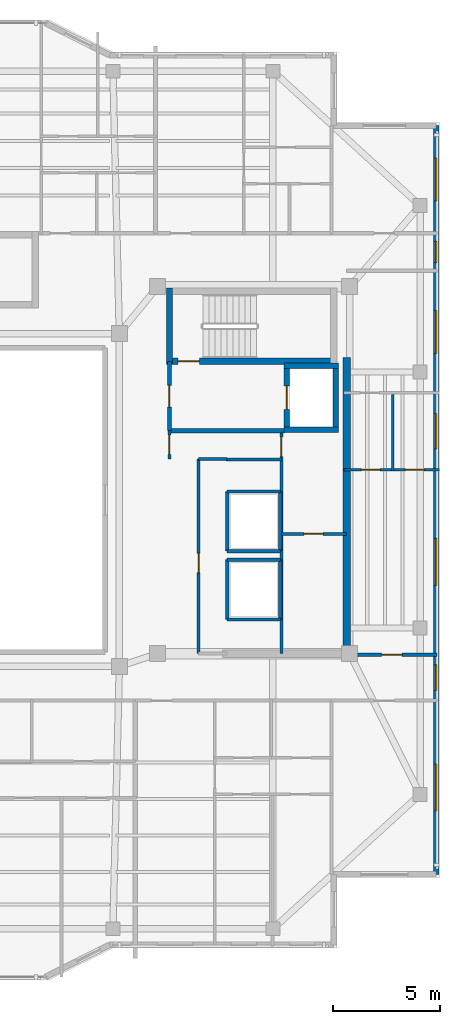
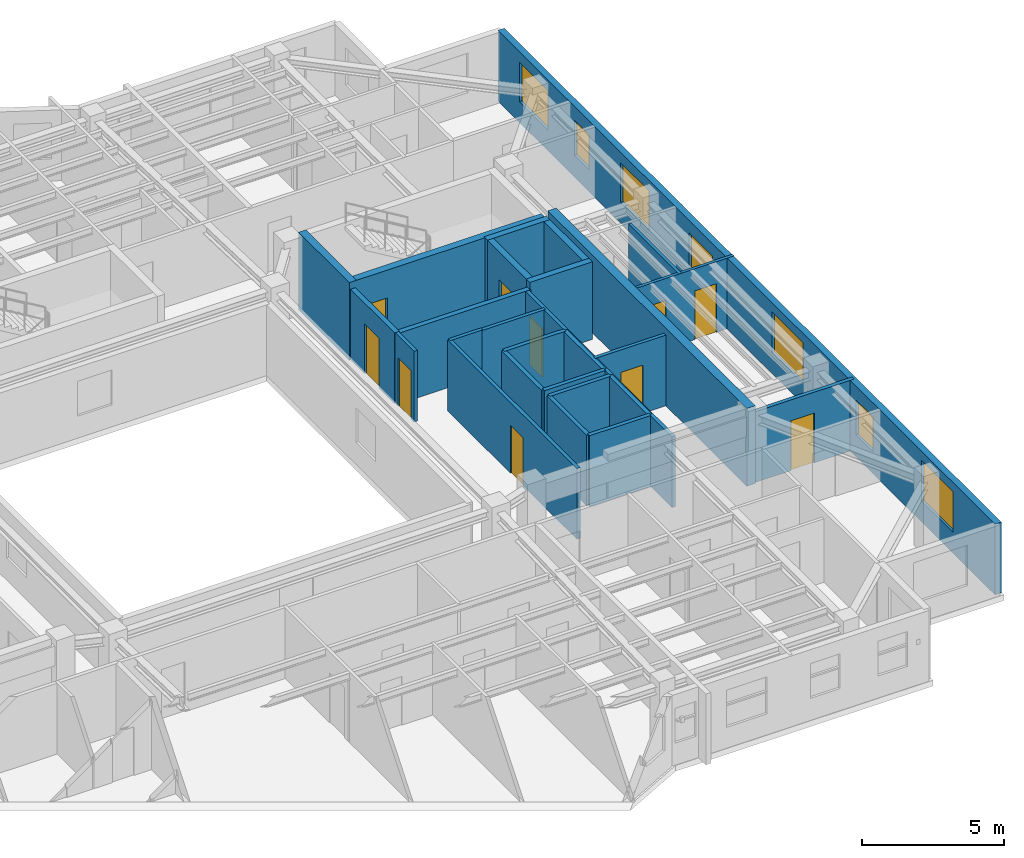
# One storey, part 9 of 15: 27 walls, 10 doors, 7 windows, 17 openings.
"""IFC4 building model written with IfcOpenShell, lengths in metres."""

from ifc_helpers import new_model, si_unit, direction, frame, frame_2d, origin, place, context, subcontext, project, spatial, rectangle, extrude, material, layer, layer_set, type_object, element, fill, save


model = new_model("IFC4")

# Units and contexts
model_context = context("Model", 3, precision=1e-05, world=origin(), true_north=direction((0.0, 1.0)))
body_context = subcontext(model_context, "Body", "Model", "MODEL_VIEW")
ifc_project = project(units=[si_unit("LENGTHUNIT", "METRE"), si_unit("AREAUNIT", "SQUARE_METRE"), si_unit("VOLUMEUNIT", "CUBIC_METRE"), si_unit("PLANEANGLEUNIT", "RADIAN"), si_unit("MASSUNIT", "GRAM", prefix="KILO")], contexts=[model_context])

# Site, building, storey
site_placement = place(None, origin())
site = spatial("IfcSite", under=ifc_project, at=site_placement, CompositionType="ELEMENT")
building_placement = place(site_placement, origin())
building = spatial("IfcBuilding", under=site, at=building_placement, Name="Tarnavaz Court Tower", CompositionType="ELEMENT")
storey_placement = place(building_placement, frame((0.0, 0.0, 268.300048828125)))
storey = spatial("IfcBuildingStorey", under=building, at=storey_placement, Name="L73", CompositionType="ELEMENT", Elevation=268.300048828125)

# Wall, opening, door
ifc_material_1 = material(Name="Concrete C50/60", Category="concrete")
ifc_layer_1 = layer(ifc_material_1, 0.25)
ifc_layer_set_1 = layer_set([ifc_layer_1], Name="Concrete C50/60")
wall_type_1 = type_object("IfcWallType", Name="WL-CORE-250-C50", PredefinedType="SHEAR", material=ifc_layer_set_1)
wall_1_placement = place(storey_placement, frame((15.64990234375, 3.175048828125, 0.0), z_axis=(0.0, 0.0, 1.0), x_axis=(0.0, 1.0, 0.0)))
wall_1 = element("IfcWall", 1, at=wall_1_placement, inside=storey, type_object=wall_type_1, Name="L73 Lift FL-E1 Shaft Wall 033", PredefinedType="SHEAR", context=body_context, shape_type="SweptSolid", body=[
    extrude(rectangle(XDim=3.25, YDim=0.25, at=frame_2d((1.625, 0.0))), origin(), (0.0, 0.0, 1.0), 3.349853515625),
])
opening_1_placement = place(wall_1_placement, frame((1.074951171875, 0.0, 0.0)))
opening_1 = element("IfcOpeningElement", 2, at=opening_1_placement, cuts=wall_1, Name="Opening LD1", PredefinedType="OPENING", context=body_context, shape_type="SweptSolid", body=[
    extrude(rectangle(XDim=1.10009765625, YDim=2.14990234375, at=frame_2d((0.550048828125, 1.074951171875))), frame((0.0, 0.135009765625, 0.0), z_axis=(0.0, -1.0, 0.0), x_axis=(1.0, 0.0, 0.0)), (0.0, 0.0, 1.0), 0.27001953125),
])
ifc_material_2 = material(Name="Stainless Steel", Category="steel")
door_type_1 = type_object("IfcDoorType", Name="DR-LD-1100", OperationType="NOTDEFINED", PredefinedType="DOOR", material=ifc_material_2)
door_1_placement = place(opening_1_placement, origin())
door_1 = element("IfcDoor", 3, at=door_1_placement, inside=storey, type_object=door_type_1, Name="L73 Lift Landing Door LD-FL-E1", OperationType="SLIDING_TO_LEFT", OverallHeight=2.14990234375, OverallWidth=1.10009765625, PredefinedType="DOOR", context=body_context, shape_type="SweptSolid", body=[
    extrude(rectangle(XDim=1.10009765625, YDim=2.14990234375, at=frame_2d((0.550048828125, 1.074951171875))), frame((0.0, 0.02490234375, 0.0), z_axis=(0.0, -1.0, 0.0), x_axis=(1.0, 0.0, 0.0)), (0.0, 0.0, 1.0), 0.050048828125),
])
fill(opening_1, door_1)

# Walls
wall_2_placement = place(storey_placement, frame((17.949951171875, 3.175048828125, 0.0), z_axis=(0.0, 0.0, 1.0), x_axis=(0.0, 1.0, 0.0)))
element("IfcWall", 4, at=wall_2_placement, inside=storey, type_object=wall_type_1, Name="L73 Lift FL-E1 Shaft Wall 034", PredefinedType="SHEAR", context=body_context, shape_type="SweptSolid", body=[
    extrude(rectangle(XDim=3.25, YDim=0.25, at=frame_2d((1.625, 0.0))), origin(), (0.0, 0.0, 1.0), 3.349853515625),
])
for number, where, z_axis, x_axis, name in (
    (5, (15.52490234375, 3.300048828125, 0.0), (0.0, 0.0, 1.0), (1.0, 0.0, 0.0), "L73 Lift FL-E1 Shaft Wall 035"),
    (6, (15.52490234375, 6.300048828125, 0.0), (0.0, 0.0, 1.0), (1.0, 0.0, 0.0), "L73 Lift FL-E1 Shaft Wall 036"),
):
    element("IfcWall", number, at=place(storey_placement, frame(where, z_axis=z_axis, x_axis=x_axis)), inside=storey, type_object=wall_type_1, Name=name, PredefinedType="SHEAR", context=body_context, shape_type="SweptSolid", body=[
        extrude(rectangle(XDim=2.550048828125, YDim=0.25, at=frame_2d((1.27490234375, 0.0))), origin(), (0.0, 0.0, 1.0), 3.349853515625),
    ])

# Wall, opening, door
ifc_layer_2 = layer(ifc_material_1, 0.300048828125)
ifc_layer_set_2 = layer_set([ifc_layer_2], Name="Concrete C50/60")
wall_type_2 = type_object("IfcWallType", Name="WL-CORE-300-C50", PredefinedType="SHEAR", material=ifc_layer_set_2)
wall_3_placement = place(storey_placement, frame((10.0, 6.5, 0.0), z_axis=(0.0, 0.0, 1.0), x_axis=(1.0, 0.0, 0.0)))
wall_3 = element("IfcWall", 7, at=wall_3_placement, inside=storey, type_object=wall_type_2, Name="L73 East Stair Core Wall 006", PredefinedType="SHEAR", context=body_context, shape_type="SweptSolid", body=[
    extrude(rectangle(XDim=8.0, YDim=0.300048828125, at=frame_2d((4.0, 0.0))), origin(), (0.0, 0.0, 1.0), 3.349853515625),
])
opening_2_placement = place(wall_3_placement, frame((0.550048828125, 0.0, 0.0)))
opening_2 = element("IfcOpeningElement", 8, at=opening_2_placement, cuts=wall_3, Name="Opening D01", PredefinedType="OPENING", context=body_context, shape_type="SweptSolid", body=[
    extrude(rectangle(XDim=1.0, YDim=2.14990234375, at=frame_2d((0.5, 1.074951171875))), frame((0.0, 0.159912109375, 0.0), z_axis=(0.0, -1.0, 0.0), x_axis=(1.0, 0.0, 0.0)), (0.0, 0.0, 1.0), 0.320068359375),
])
ifc_material_3 = material(Name="Fire-Rated Hardwood Timber Core", Category="wood")
door_type_2 = type_object("IfcDoorType", Name="DR-FD90-1000", OperationType="NOTDEFINED", PredefinedType="DOOR", material=ifc_material_3)
door_2_placement = place(opening_2_placement, origin())
door_2 = element("IfcDoor", 9, at=door_2_placement, inside=storey, type_object=door_type_2, Name="L73 Stair ST-E1 Exit Door", OperationType="SINGLE_SWING_RIGHT", OverallHeight=2.14990234375, OverallWidth=1.0, PredefinedType="DOOR", context=body_context, shape_type="SweptSolid", body=[
    extrude(rectangle(XDim=1.0, YDim=2.14990234375, at=frame_2d((0.5, 1.074951171875))), frame((0.0, 0.02490234375, 0.0), z_axis=(0.0, -1.0, 0.0), x_axis=(1.0, 0.0, 0.0)), (0.0, 0.0, 1.0), 0.050048828125),
])
fill(opening_2, door_2)

# Walls
wall_4_placement = place(storey_placement, frame((10.14990234375, 6.35009765625, 0.0), z_axis=(0.0, 0.0, 1.0), x_axis=(0.0, 1.0, 0.0)))
element("IfcWall", 10, at=wall_4_placement, inside=storey, type_object=wall_type_2, Name="L73 East Stair Core Wall 007", PredefinedType="SHEAR", context=body_context, shape_type="SweptSolid", body=[
    extrude(rectangle(XDim=3.58984375, YDim=0.300048828125, at=frame_2d((1.794921875, 0.0))), origin(), (0.0, 0.0, 1.0), 3.349853515625),
])
ifc_layer_3 = layer(ifc_material_1, 0.35009765625)
ifc_layer_set_3 = layer_set([ifc_layer_3], Name="Concrete C50/60")
wall_type_3 = type_object("IfcWallType", Name="WL-CORE-350-C50", PredefinedType="SHEAR", material=ifc_layer_set_3)
wall_5_placement = place(storey_placement, frame((18.449951171875, -7.375, 0.0), z_axis=(0.0, 0.0, 1.0), x_axis=(0.0, 1.0, 0.0)))
element("IfcWall", 11, at=wall_5_placement, inside=storey, type_object=wall_type_3, Name="L73 East Core Shear Wall 047", PredefinedType="SHEAR", context=body_context, shape_type="SweptSolid", body=[
    extrude(rectangle(XDim=14.050048828125, YDim=0.35009765625, at=frame_2d((7.02490234375, 0.0))), origin(), (0.0, 0.0, 1.0), 3.349853515625),
])

# Wall, openings, windows
ifc_material_4 = material(Name="Precast Concrete C40/50", Category="concrete")
ifc_layer_4 = layer(ifc_material_4, 0.260009765625)
ifc_layer_set_4 = layer_set([ifc_layer_4], Name="Precast Concrete C40/50")
wall_type_4 = type_object("IfcWallType", Name="WL-EXT-260", PredefinedType="SOLIDWALL", material=ifc_layer_set_4)
wall_6_placement = place(storey_placement, frame((22.64990234375, 17.550048828125, 0.0), z_axis=(0.0, 0.0, 1.0), x_axis=(0.0, -1.0, 0.0)))
wall_6 = element("IfcWall", 12, at=wall_6_placement, inside=storey, type_object=wall_type_4, Name="L73 Exterior Terracotta Facade Wall 12", PredefinedType="SOLIDWALL", context=body_context, shape_type="SweptSolid", body=[
    extrude(rectangle(XDim=35.10009765625, YDim=0.260009765625, at=frame_2d((17.550048828125, 0.0))), origin(), (0.0, 0.0, 1.0), 3.050048828125),
])
opening_3_placement = place(wall_6_placement, frame((1.52490234375, 0.0, 0.89990234375)))
opening_3 = element("IfcOpeningElement", 13, at=opening_3_placement, cuts=wall_6, Name="Opening W08", PredefinedType="OPENING", context=body_context, shape_type="SweptSolid", body=[
    extrude(rectangle(XDim=2.0, YDim=1.699951171875, at=frame_2d((1.0, 0.85009765625))), frame((0.0, 0.139892578125, 0.0), z_axis=(0.0, -1.0, 0.0), x_axis=(1.0, 0.0, 0.0)), (0.0, 0.0, 1.0), 0.280029296875),
])
opening_4_placement = place(wall_6_placement, frame((5.425048828125, 0.0, 0.949951171875)))
opening_4 = element("IfcOpeningElement", 14, at=opening_4_placement, cuts=wall_6, Name="Opening W14", PredefinedType="OPENING", context=body_context, shape_type="SweptSolid", body=[
    extrude(rectangle(XDim=1.0, YDim=1.5, at=frame_2d((0.5, 0.75))), frame((0.0, 0.139892578125, 0.0), z_axis=(0.0, -1.0, 0.0), x_axis=(1.0, 0.0, 0.0)), (0.0, 0.0, 1.0), 0.280029296875),
])
opening_5_placement = place(wall_6_placement, frame((8.675048828125, 0.0, 0.89990234375)))
opening_5 = element("IfcOpeningElement", 15, at=opening_5_placement, cuts=wall_6, Name="Opening W08", PredefinedType="OPENING", context=body_context, shape_type="SweptSolid", body=[
    extrude(rectangle(XDim=2.0, YDim=1.699951171875, at=frame_2d((1.0, 0.85009765625))), frame((0.0, 0.139892578125, 0.0), z_axis=(0.0, -1.0, 0.0), x_axis=(1.0, 0.0, 0.0)), (0.0, 0.0, 1.0), 0.280029296875),
])
opening_6_placement = place(wall_6_placement, frame((13.5, 0.0, 0.89990234375)))
opening_6 = element("IfcOpeningElement", 16, at=opening_6_placement, cuts=wall_6, Name="Opening W02", PredefinedType="OPENING", context=body_context, shape_type="SweptSolid", body=[
    extrude(rectangle(XDim=1.64990234375, YDim=1.60009765625, at=frame_2d((0.824951171875, 0.800048828125))), frame((0.0, 0.139892578125, 0.0), z_axis=(0.0, -1.0, 0.0), x_axis=(1.0, 0.0, 0.0)), (0.0, 0.0, 1.0), 0.280029296875),
])
opening_7_placement = place(wall_6_placement, frame((19.35009765625, 0.0, 0.89990234375)))
opening_7 = element("IfcOpeningElement", 17, at=opening_7_placement, cuts=wall_6, Name="Opening W07", PredefinedType="OPENING", context=body_context, shape_type="SweptSolid", body=[
    extrude(rectangle(XDim=2.199951171875, YDim=1.75, at=frame_2d((1.10009765625, 0.875))), frame((0.0, 0.139892578125, 0.0), z_axis=(0.0, -1.0, 0.0), x_axis=(1.0, 0.0, 0.0)), (0.0, 0.0, 1.0), 0.280029296875),
])
opening_8_placement = place(wall_6_placement, frame((25.27490234375, 0.0, 0.949951171875)))
opening_8 = element("IfcOpeningElement", 18, at=opening_8_placement, cuts=wall_6, Name="Opening W05", PredefinedType="OPENING", context=body_context, shape_type="SweptSolid", body=[
    extrude(rectangle(XDim=1.199951171875, YDim=1.5, at=frame_2d((0.60009765625, 0.75))), frame((0.0, 0.139892578125, 0.0), z_axis=(0.0, -1.0, 0.0), x_axis=(1.0, 0.0, 0.0)), (0.0, 0.0, 1.0), 0.280029296875),
])
opening_9_placement = place(wall_6_placement, frame((29.925048828125, 0.0, 0.89990234375)))
opening_9 = element("IfcOpeningElement", 19, at=opening_9_placement, cuts=wall_6, Name="Opening W07", PredefinedType="OPENING", context=body_context, shape_type="SweptSolid", body=[
    extrude(rectangle(XDim=2.199951171875, YDim=1.75, at=frame_2d((1.10009765625, 0.875))), frame((0.0, 0.139892578125, 0.0), z_axis=(0.0, -1.0, 0.0), x_axis=(1.0, 0.0, 0.0)), (0.0, 0.0, 1.0), 0.280029296875),
])
ifc_material_5 = material(Name="Double-Glazed Solar Low-E Glass", Category="glass")
window_type_1 = type_object("IfcWindowType", Name="WN-APT-1000", PartitioningType="SINGLE_PANEL", PredefinedType="WINDOW", material=ifc_material_5)
window_1_placement = place(opening_4_placement, origin())
window_1 = element("IfcWindow", 20, at=window_1_placement, inside=storey, type_object=window_type_1, Name="L73 North-East Corner Corridor Window", OverallHeight=1.5, OverallWidth=1.0, PartitioningType="SINGLE_PANEL", PredefinedType="WINDOW", context=body_context, shape_type="SweptSolid", body=[
    extrude(rectangle(XDim=1.0, YDim=1.5, at=frame_2d((0.5, 0.75))), frame((0.0, 0.030029296875, 0.0), z_axis=(0.0, -1.0, 0.0), x_axis=(1.0, 0.0, 0.0)), (0.0, 0.0, 1.0), 0.06005859375),
])
fill(opening_4, window_1)
window_type_2 = type_object("IfcWindowType", Name="WN-APT-1200", PartitioningType="SINGLE_PANEL", PredefinedType="WINDOW", material=ifc_material_5)
window_2_placement = place(opening_8_placement, origin())
window_2 = element("IfcWindow", 21, at=window_2_placement, inside=storey, type_object=window_type_2, Name="L73 South-East Corner Corridor Window", OverallHeight=1.5, OverallWidth=1.199951171875, PartitioningType="SINGLE_PANEL", PredefinedType="WINDOW", context=body_context, shape_type="SweptSolid", body=[
    extrude(rectangle(XDim=1.199951171875, YDim=1.5, at=frame_2d((0.60009765625, 0.75))), frame((0.0, 0.030029296875, 0.0), z_axis=(0.0, -1.0, 0.0), x_axis=(1.0, 0.0, 0.0)), (0.0, 0.0, 1.0), 0.06005859375),
])
fill(opening_8, window_2)
window_type_3 = type_object("IfcWindowType", Name="WN-APT-1650", PartitioningType="DOUBLE_PANEL_VERTICAL", PredefinedType="WINDOW", material=ifc_material_5)
window_3_placement = place(opening_6_placement, origin())
window_3 = element("IfcWindow", 22, at=window_3_placement, inside=storey, type_object=window_type_3, Name="L73 Flat 09 Bathroom Window", OverallHeight=1.60009765625, OverallWidth=1.64990234375, PartitioningType="SINGLE_PANEL", PredefinedType="WINDOW", context=body_context, shape_type="SweptSolid", body=[
    extrude(rectangle(XDim=1.64990234375, YDim=1.60009765625, at=frame_2d((0.824951171875, 0.800048828125))), frame((0.0, 0.030029296875, 0.0), z_axis=(0.0, -1.0, 0.0), x_axis=(1.0, 0.0, 0.0)), (0.0, 0.0, 1.0), 0.06005859375),
])
fill(opening_6, window_3)
window_type_4 = type_object("IfcWindowType", Name="WN-APT-2000", PartitioningType="DOUBLE_PANEL_VERTICAL", PredefinedType="WINDOW", material=ifc_material_5)
window_4_placement = place(opening_3_placement, origin())
window_4 = element("IfcWindow", 23, at=window_4_placement, inside=storey, type_object=window_type_4, Name="L73 North-East Corner Sunroom Study Window", OverallHeight=1.699951171875, OverallWidth=2.0, PartitioningType="SINGLE_PANEL", PredefinedType="WINDOW", context=body_context, shape_type="SweptSolid", body=[
    extrude(rectangle(XDim=2.0, YDim=1.699951171875, at=frame_2d((1.0, 0.85009765625))), frame((0.0, 0.030029296875, 0.0), z_axis=(0.0, -1.0, 0.0), x_axis=(1.0, 0.0, 0.0)), (0.0, 0.0, 1.0), 0.06005859375),
])
fill(opening_3, window_4)
window_5_placement = place(opening_5_placement, origin())
window_5 = element("IfcWindow", 24, at=window_5_placement, inside=storey, type_object=window_type_4, Name="L73 Flat 09 Study Room Window", OverallHeight=1.699951171875, OverallWidth=2.0, PartitioningType="SINGLE_PANEL", PredefinedType="WINDOW", context=body_context, shape_type="SweptSolid", body=[
    extrude(rectangle(XDim=2.0, YDim=1.699951171875, at=frame_2d((1.0, 0.85009765625))), frame((0.0, 0.030029296875, 0.0), z_axis=(0.0, -1.0, 0.0), x_axis=(1.0, 0.0, 0.0)), (0.0, 0.0, 1.0), 0.06005859375),
])
fill(opening_5, window_5)
window_type_5 = type_object("IfcWindowType", Name="WN-APT-2200", PartitioningType="TRIPLE_PANEL_VERTICAL", PredefinedType="WINDOW", material=ifc_material_5)
window_6_placement = place(opening_7_placement, origin())
window_6 = element("IfcWindow", 25, at=window_6_placement, inside=storey, type_object=window_type_5, Name="L73 Flat 09 Studio Living and Sleeping Room Window", OverallHeight=1.75, OverallWidth=2.199951171875, PartitioningType="SINGLE_PANEL", PredefinedType="WINDOW", context=body_context, shape_type="SweptSolid", body=[
    extrude(rectangle(XDim=2.199951171875, YDim=1.75, at=frame_2d((1.10009765625, 0.875))), frame((0.0, 0.030029296875, 0.0), z_axis=(0.0, -1.0, 0.0), x_axis=(1.0, 0.0, 0.0)), (0.0, 0.0, 1.0), 0.06005859375),
])
fill(opening_7, window_6)
window_7_placement = place(opening_9_placement, origin())
window_7 = element("IfcWindow", 26, at=window_7_placement, inside=storey, type_object=window_type_5, Name="L73 South-East Corner Reading Room Window", OverallHeight=1.75, OverallWidth=2.199951171875, PartitioningType="SINGLE_PANEL", PredefinedType="WINDOW", context=body_context, shape_type="SweptSolid", body=[
    extrude(rectangle(XDim=2.199951171875, YDim=1.75, at=frame_2d((1.10009765625, 0.875))), frame((0.0, 0.030029296875, 0.0), z_axis=(0.0, -1.0, 0.0), x_axis=(1.0, 0.0, 0.0)), (0.0, 0.0, 1.0), 0.06005859375),
])
fill(opening_9, window_7)

# Wall, opening, door
ifc_material_6 = material(Name="Gypsum Fire-Board on Acoustic Metal Stud", Category="masonry")
ifc_layer_5 = layer(ifc_material_6, 0.14990234375)
ifc_layer_set_5 = layer_set([ifc_layer_5], Name="Gypsum Fire-Board on Acoustic Metal Stud")
wall_type_5 = type_object("IfcWallType", Name="WL-FIRE-150", PredefinedType="PARTITIONING", material=ifc_layer_set_5)
wall_7_placement = place(storey_placement, frame((18.449951171875, -7.25, 0.0), z_axis=(0.0, 0.0, 1.0), x_axis=(1.0, 0.0, 0.0)))
wall_7 = element("IfcWall", 27, at=wall_7_placement, inside=storey, type_object=wall_type_5, Name="L73 Interior Partition 113", PredefinedType="PARTITIONING", context=body_context, shape_type="SweptSolid", body=[
    extrude(rectangle(XDim=4.22998046875, YDim=0.14990234375, at=frame_2d((2.114990234375, 0.0))), origin(), (0.0, 0.0, 1.0), 3.050048828125),
])
opening_10_placement = place(wall_7_placement, frame((1.64990234375, 0.0, 0.0)))
opening_10 = element("IfcOpeningElement", 28, at=opening_10_placement, cuts=wall_7, Name="Opening D06", PredefinedType="OPENING", context=body_context, shape_type="SweptSolid", body=[
    extrude(rectangle(XDim=0.9599609375, YDim=2.14990234375, at=frame_2d((0.47998046875, 1.074951171875))), frame((0.0, 0.0849609375, 0.0), z_axis=(0.0, -1.0, 0.0), x_axis=(1.0, 0.0, 0.0)), (0.0, 0.0, 1.0), 0.169921875),
])
door_type_3 = type_object("IfcDoorType", Name="DR-FD60-950", OperationType="NOTDEFINED", PredefinedType="DOOR", material=ifc_material_3)
door_3_placement = place(opening_10_placement, origin())
door_3 = element("IfcDoor", 29, at=door_3_placement, inside=storey, type_object=door_type_3, Name="L73 Flat 09 Entrance Door", OperationType="SINGLE_SWING_LEFT", OverallHeight=2.14990234375, OverallWidth=0.9599609375, PredefinedType="DOOR", context=body_context, shape_type="SweptSolid", body=[
    extrude(rectangle(XDim=0.9599609375, YDim=2.14990234375, at=frame_2d((0.47998046875, 1.074951171875))), frame((0.0, 0.02490234375, 0.0), z_axis=(0.0, -1.0, 0.0), x_axis=(1.0, 0.0, 0.0)), (0.0, 0.0, 1.0), 0.050048828125),
])
fill(opening_10, door_3)

# Wall
ifc_material_7 = material(Name="Autoclaved Aerated Concrete Blockwork", Category="masonry")
ifc_layer_6 = layer(ifc_material_7, 0.199951171875)
ifc_layer_set_6 = layer_set([ifc_layer_6], Name="Autoclaved Aerated Concrete Blockwork")
wall_type_6 = type_object("IfcWallType", Name="WL-FIRE-200", PredefinedType="SOLIDWALL", material=ifc_layer_set_6)
wall_8_placement = place(storey_placement, frame((10.14990234375, 3.25, 0.0), z_axis=(0.0, 0.0, 1.0), x_axis=(1.0, 0.0, 0.0)))
element("IfcWall", 30, at=wall_8_placement, inside=storey, type_object=wall_type_6, Name="L73 East Firefighting Lobby Wall 015", PredefinedType="SOLIDWALL", context=body_context, shape_type="SweptSolid", body=[
    extrude(rectangle(XDim=5.400146484375, YDim=0.199951171875, at=frame_2d((2.7001953125, 0.0))), origin(), (0.0, 0.0, 1.0), 3.050048828125),
])

# Wall, opening, door
wall_9_placement = place(storey_placement, frame((10.14990234375, 3.25, 0.0), z_axis=(0.0, 0.0, 1.0), x_axis=(0.0, 1.0, 0.0)))
wall_9 = element("IfcWall", 31, at=wall_9_placement, inside=storey, type_object=wall_type_6, Name="L73 East Firefighting Lobby Wall 016", PredefinedType="SOLIDWALL", context=body_context, shape_type="SweptSolid", body=[
    extrude(rectangle(XDim=3.25, YDim=0.199951171875, at=frame_2d((1.625, 0.0))), origin(), (0.0, 0.0, 1.0), 3.050048828125),
])
opening_11_placement = place(wall_9_placement, frame((1.10009765625, 0.0, 0.0)))
opening_11 = element("IfcOpeningElement", 32, at=opening_11_placement, cuts=wall_9, Name="Opening D05", PredefinedType="OPENING", context=body_context, shape_type="SweptSolid", body=[
    extrude(rectangle(XDim=1.02001953125, YDim=2.14990234375, at=frame_2d((0.510009765625, 1.074951171875))), frame((0.0, 0.10986328125, 0.0), z_axis=(0.0, -1.0, 0.0), x_axis=(1.0, 0.0, 0.0)), (0.0, 0.0, 1.0), 0.219970703125),
])
door_type_4 = type_object("IfcDoorType", Name="DR-FD60-1000", OperationType="NOTDEFINED", PredefinedType="DOOR", material=ifc_material_3)
door_4_placement = place(opening_11_placement, origin())
door_4 = element("IfcDoor", 33, at=door_4_placement, inside=storey, type_object=door_type_4, Name="L73 East Firefighting Lobby Door", OperationType="SINGLE_SWING_LEFT", OverallHeight=2.14990234375, OverallWidth=1.02001953125, PredefinedType="DOOR", context=body_context, shape_type="SweptSolid", body=[
    extrude(rectangle(XDim=1.02001953125, YDim=2.14990234375, at=frame_2d((0.510009765625, 1.074951171875))), frame((0.0, 0.02490234375, 0.0), z_axis=(0.0, -1.0, 0.0), x_axis=(1.0, 0.0, 0.0)), (0.0, 0.0, 1.0), 0.050048828125),
])
fill(opening_11, door_4)

# Wall, openings, doors
ifc_material_8 = material(Name="Moisture-Resistant Gypsum Board Partition", Category="masonry")
ifc_layer_7 = layer(ifc_material_8, 0.1201171875)
ifc_layer_set_7 = layer_set([ifc_layer_7], Name="Moisture-Resistant Gypsum Board Partition")
wall_type_7 = type_object("IfcWallType", Name="WL-PART-120", PredefinedType="PARTITIONING", material=ifc_layer_set_7)
wall_10_placement = place(storey_placement, frame((18.330078125, 1.419921875, 0.0), z_axis=(0.0, 0.0, 1.0), x_axis=(1.0, 0.0, 0.0)))
wall_10 = element("IfcWall", 34, at=wall_10_placement, inside=storey, type_object=wall_type_7, Name="L73 Interior Partition 126", PredefinedType="PARTITIONING", context=body_context, shape_type="SweptSolid", body=[
    extrude(rectangle(XDim=4.469970703125, YDim=0.1201171875, at=frame_2d((2.23486328125, 0.0))), origin(), (0.0, 0.0, 1.0), 3.050048828125),
])
opening_12_placement = place(wall_10_placement, frame((0.81298828125, 0.0, 0.0)))
opening_12 = element("IfcOpeningElement", 35, at=opening_12_placement, cuts=wall_10, Name="Opening D14", PredefinedType="OPENING", context=body_context, shape_type="SweptSolid", body=[
    extrude(rectangle(XDim=0.8798828125, YDim=2.10009765625, at=frame_2d((0.43994140625, 1.050048828125))), frame((0.0, 0.070068359375, 0.0), z_axis=(0.0, -1.0, 0.0), x_axis=(1.0, 0.0, 0.0)), (0.0, 0.0, 1.0), 0.14013671875),
])
opening_13_placement = place(wall_10_placement, frame((2.8779296875, 0.0, 0.0)))
opening_13 = element("IfcOpeningElement", 36, at=opening_13_placement, cuts=wall_10, Name="Opening D14", PredefinedType="OPENING", context=body_context, shape_type="SweptSolid", body=[
    extrude(rectangle(XDim=0.8798828125, YDim=2.10009765625, at=frame_2d((0.43994140625, 1.050048828125))), frame((0.0, 0.070068359375, 0.0), z_axis=(0.0, -1.0, 0.0), x_axis=(1.0, 0.0, 0.0)), (0.0, 0.0, 1.0), 0.14013671875),
])
ifc_material_9 = material(Name="Engineered Oak Timber", Category="wood")
door_type_5 = type_object("IfcDoorType", Name="DR-INT-900", OperationType="NOTDEFINED", PredefinedType="DOOR", material=ifc_material_9)
door_5_placement = place(opening_12_placement, origin())
door_5 = element("IfcDoor", 37, at=door_5_placement, inside=storey, type_object=door_type_5, Name="L73 Flat 09 Kitchen Door", OperationType="SINGLE_SWING_RIGHT", OverallHeight=2.10009765625, OverallWidth=0.8798828125, PredefinedType="DOOR", context=body_context, shape_type="SweptSolid", body=[
    extrude(rectangle(XDim=0.8798828125, YDim=2.10009765625, at=frame_2d((0.43994140625, 1.050048828125))), frame((0.0, 0.02490234375, 0.0), z_axis=(0.0, -1.0, 0.0), x_axis=(1.0, 0.0, 0.0)), (0.0, 0.0, 1.0), 0.050048828125),
])
fill(opening_12, door_5)
door_6_placement = place(opening_13_placement, origin())
door_6 = element("IfcDoor", 38, at=door_6_placement, inside=storey, type_object=door_type_5, Name="L73 Flat 09 Bathroom Door", OperationType="SINGLE_SWING_LEFT", OverallHeight=2.10009765625, OverallWidth=0.8798828125, PredefinedType="DOOR", context=body_context, shape_type="SweptSolid", body=[
    extrude(rectangle(XDim=0.8798828125, YDim=2.10009765625, at=frame_2d((0.43994140625, 1.050048828125))), frame((0.0, 0.02490234375, 0.0), z_axis=(0.0, -1.0, 0.0), x_axis=(1.0, 0.0, 0.0)), (0.0, 0.0, 1.0), 0.050048828125),
])
fill(opening_13, door_6)

# Walls
wall_11_placement = place(storey_placement, frame((20.614990234375, 1.360107421875, 0.0), z_axis=(0.0, 0.0, 1.0), x_axis=(0.0, 1.0, 0.0)))
element("IfcWall", 39, at=wall_11_placement, inside=storey, type_object=wall_type_7, Name="L73 Interior Partition 128", PredefinedType="PARTITIONING", context=body_context, shape_type="SweptSolid", body=[
    extrude(rectangle(XDim=3.579833984375, YDim=0.1201171875, at=frame_2d((1.7900390625, 0.0))), origin(), (0.0, 0.0, 1.0), 3.050048828125),
])
ifc_material_10 = material(Name="Gypsum Plasterboard Acoustic Partition", Category="masonry")
ifc_layer_8 = layer(ifc_material_10, 0.139892578125)
ifc_layer_set_8 = layer_set([ifc_layer_8], Name="Gypsum Plasterboard Acoustic Partition")
wall_type_8 = type_object("IfcWallType", Name="WL-PART-150", PredefinedType="PARTITIONING", material=ifc_layer_set_8)
wall_12_placement = place(storey_placement, frame((12.800048828125, 1.89990234375, 0.0), z_axis=(0.0, 0.0, 1.0), x_axis=(1.0, 0.0, 0.0)))
element("IfcWall", 40, at=wall_12_placement, inside=storey, type_object=wall_type_8, Name="L73 Interior Partition 053", PredefinedType="PARTITIONING", context=body_context, shape_type="SweptSolid", body=[
    extrude(rectangle(XDim=2.599853515625, YDim=0.139892578125, at=frame_2d((1.2998046875, 0.0))), origin(), (0.0, 0.0, 1.0), 3.050048828125),
])

# Wall, opening, door
wall_13_placement = place(storey_placement, frame((10.14990234375, 1.919921875, 0.0), z_axis=(0.0, 0.0, 1.0), x_axis=(0.0, 1.0, 0.0)))
wall_13 = element("IfcWall", 41, at=wall_13_placement, inside=storey, type_object=wall_type_8, Name="L73 Interior Partition 054", PredefinedType="PARTITIONING", context=body_context, shape_type="SweptSolid", body=[
    extrude(rectangle(XDim=1.330078125, YDim=0.139892578125, at=frame_2d((0.6650390625, 0.0))), origin(), (0.0, 0.0, 1.0), 3.050048828125),
])
opening_14_placement = place(wall_13_placement, frame((0.219970703125, 0.0, 0.0)))
opening_14 = element("IfcOpeningElement", 42, at=opening_14_placement, cuts=wall_13, Name="Opening D09", PredefinedType="OPENING", context=body_context, shape_type="SweptSolid", body=[
    extrude(rectangle(XDim=0.89990234375, YDim=2.080078125, at=frame_2d((0.449951171875, 1.0400390625))), frame((0.0, 0.079833984375, 0.0), z_axis=(0.0, -1.0, 0.0), x_axis=(1.0, 0.0, 0.0)), (0.0, 0.0, 1.0), 0.159912109375),
])
door_type_6 = type_object("IfcDoorType", Name="DR-FD30-900", OperationType="NOTDEFINED", PredefinedType="DOOR", material=ifc_material_3)
door_7_placement = place(opening_14_placement, origin())
door_7 = element("IfcDoor", 43, at=door_7_placement, inside=storey, type_object=door_type_6, Name="L73 East Core Service Lobby Door", OperationType="SINGLE_SWING_RIGHT", OverallHeight=2.080078125, OverallWidth=0.89990234375, PredefinedType="DOOR", context=body_context, shape_type="SweptSolid", body=[
    extrude(rectangle(XDim=0.89990234375, YDim=2.080078125, at=frame_2d((0.449951171875, 1.0400390625))), frame((0.0, 0.02490234375, 0.0), z_axis=(0.0, -1.0, 0.0), x_axis=(1.0, 0.0, 0.0)), (0.0, 0.0, 1.0), 0.050048828125),
])
fill(opening_14, door_7)

wall_14_placement = place(storey_placement, frame((15.39990234375, -7.199951171875, 0.0), z_axis=(0.0, 0.0, 1.0), x_axis=(0.0, 1.0, 0.0)))
wall_14 = element("IfcWall", 44, at=wall_14_placement, inside=storey, type_object=wall_type_8, Name="L73 Interior Partition 055", PredefinedType="PARTITIONING", context=body_context, shape_type="SweptSolid", body=[
    extrude(rectangle(XDim=10.449951171875, YDim=0.139892578125, at=frame_2d((5.22509765625, 0.0))), origin(), (0.0, 0.0, 1.0), 3.050048828125),
])
opening_15_placement = place(wall_14_placement, frame((9.25, 0.0, 0.0)))
opening_15 = element("IfcOpeningElement", 45, at=opening_15_placement, cuts=wall_14, Name="Opening D09", PredefinedType="OPENING", context=body_context, shape_type="SweptSolid", body=[
    extrude(rectangle(XDim=0.89990234375, YDim=2.080078125, at=frame_2d((0.449951171875, 1.0400390625))), frame((0.0, 0.079833984375, 0.0), z_axis=(0.0, -1.0, 0.0), x_axis=(1.0, 0.0, 0.0)), (0.0, 0.0, 1.0), 0.159912109375),
])
door_8_placement = place(opening_15_placement, origin())
door_8 = element("IfcDoor", 46, at=door_8_placement, inside=storey, type_object=door_type_6, Name="L73 East Wet Riser Door", OperationType="SINGLE_SWING_LEFT", OverallHeight=2.080078125, OverallWidth=0.89990234375, PredefinedType="DOOR", context=body_context, shape_type="SweptSolid", body=[
    extrude(rectangle(XDim=0.89990234375, YDim=2.080078125, at=frame_2d((0.449951171875, 1.0400390625))), frame((0.0, 0.02490234375, 0.0), z_axis=(0.0, -1.0, 0.0), x_axis=(1.0, 0.0, 0.0)), (0.0, 0.0, 1.0), 0.050048828125),
])
fill(opening_15, door_8)

wall_15_placement = place(storey_placement, frame((15.39990234375, -1.590087890625, 0.0), z_axis=(0.0, 0.0, 1.0), x_axis=(1.0, 0.0, 0.0)))
wall_15 = element("IfcWall", 47, at=wall_15_placement, inside=storey, type_object=wall_type_8, Name="L73 Interior Partition 056", PredefinedType="PARTITIONING", context=body_context, shape_type="SweptSolid", body=[
    extrude(rectangle(XDim=3.050048828125, YDim=0.139892578125, at=frame_2d((1.52490234375, 0.0))), origin(), (0.0, 0.0, 1.0), 3.050048828125),
])
opening_16_placement = place(wall_15_placement, frame((1.050048828125, 0.0, 0.0)))
opening_16 = element("IfcOpeningElement", 48, at=opening_16_placement, cuts=wall_15, Name="Opening D09", PredefinedType="OPENING", context=body_context, shape_type="SweptSolid", body=[
    extrude(rectangle(XDim=0.89990234375, YDim=2.080078125, at=frame_2d((0.449951171875, 1.0400390625))), frame((0.0, 0.079833984375, 0.0), z_axis=(0.0, -1.0, 0.0), x_axis=(1.0, 0.0, 0.0)), (0.0, 0.0, 1.0), 0.159912109375),
])
door_9_placement = place(opening_16_placement, origin())
door_9 = element("IfcDoor", 49, at=door_9_placement, inside=storey, type_object=door_type_6, Name="L73 East Electrical Plant Door", OperationType="SINGLE_SWING_RIGHT", OverallHeight=2.080078125, OverallWidth=0.89990234375, PredefinedType="DOOR", context=body_context, shape_type="SweptSolid", body=[
    extrude(rectangle(XDim=0.89990234375, YDim=2.080078125, at=frame_2d((0.449951171875, 1.0400390625))), frame((0.0, 0.02490234375, 0.0), z_axis=(0.0, -1.0, 0.0), x_axis=(1.0, 0.0, 0.0)), (0.0, 0.0, 1.0), 0.050048828125),
])
fill(opening_16, door_9)

wall_16_placement = place(storey_placement, frame((11.52001953125, -7.199951171875, 0.0), z_axis=(0.0, 0.0, 1.0), x_axis=(0.0, 1.0, 0.0)))
wall_16 = element("IfcWall", 50, at=wall_16_placement, inside=storey, type_object=wall_type_8, Name="L73 Interior Partition 057", PredefinedType="PARTITIONING", context=body_context, shape_type="SweptSolid", body=[
    extrude(rectangle(XDim=9.119873046875, YDim=0.139892578125, at=frame_2d((4.56005859375, 0.0))), origin(), (0.0, 0.0, 1.0), 3.050048828125),
])
opening_17_placement = place(wall_16_placement, frame((3.800048828125, 0.0, 0.0)))
opening_17 = element("IfcOpeningElement", 51, at=opening_17_placement, cuts=wall_16, Name="Opening D09", PredefinedType="OPENING", context=body_context, shape_type="SweptSolid", body=[
    extrude(rectangle(XDim=0.89990234375, YDim=2.080078125, at=frame_2d((0.449951171875, 1.0400390625))), frame((0.0, 0.079833984375, 0.0), z_axis=(0.0, -1.0, 0.0), x_axis=(1.0, 0.0, 0.0)), (0.0, 0.0, 1.0), 0.159912109375),
])
door_10_placement = place(opening_17_placement, origin())
door_10 = element("IfcDoor", 52, at=door_10_placement, inside=storey, type_object=door_type_6, Name="L73 East Sky Core Store Door", OperationType="SINGLE_SWING_LEFT", OverallHeight=2.080078125, OverallWidth=0.89990234375, PredefinedType="DOOR", context=body_context, shape_type="SweptSolid", body=[
    extrude(rectangle(XDim=0.89990234375, YDim=2.080078125, at=frame_2d((0.449951171875, 1.0400390625))), frame((0.0, 0.02490234375, 0.0), z_axis=(0.0, -1.0, 0.0), x_axis=(1.0, 0.0, 0.0)), (0.0, 0.0, 1.0), 0.050048828125),
])
fill(opening_17, door_10)

# Walls
wall_17_placement = place(storey_placement, frame((11.52001953125, 1.919921875, 0.0), z_axis=(0.0, 0.0, 1.0), x_axis=(1.0, 0.0, 0.0)))
element("IfcWall", 53, at=wall_17_placement, inside=storey, type_object=wall_type_8, Name="L73 Interior Partition 058", PredefinedType="PARTITIONING", context=body_context, shape_type="SweptSolid", body=[
    extrude(rectangle(XDim=1.330078125, YDim=0.139892578125, at=frame_2d((0.6650390625, 0.0))), origin(), (0.0, 0.0, 1.0), 3.050048828125),
])
ifc_layer_9 = layer(ifc_material_7, 0.159912109375)
ifc_layer_set_9 = layer_set([ifc_layer_9], Name="Autoclaved Aerated Concrete Blockwork")
wall_type_9 = type_object("IfcWallType", Name="WL-SHAFT-150", PredefinedType="SOLIDWALL", material=ifc_layer_set_9)
for number, where, z_axis, x_axis, name in (
    (54, (12.85009765625, -5.60009765625, 0.0), (0.0, 0.0, 1.0), (0.0, 1.0, 0.0), "L73 Lift PL-OB1 Shaft Wall 037"),
    (55, (15.35009765625, -5.60009765625, 0.0), (0.0, 0.0, 1.0), (0.0, 1.0, 0.0), "L73 Lift PL-OB1 Shaft Wall 038"),
):
    element("IfcWall", number, at=place(storey_placement, frame(where, z_axis=z_axis, x_axis=x_axis)), inside=storey, type_object=wall_type_9, Name=name, PredefinedType="SOLIDWALL", context=body_context, shape_type="SweptSolid", body=[
        extrude(rectangle(XDim=2.800048828125, YDim=0.159912109375, at=frame_2d((1.39990234375, 0.0))), origin(), (0.0, 0.0, 1.0), 3.050048828125),
    ])
for number, where, z_axis, x_axis, name in (
    (56, (12.85009765625, -5.60009765625, 0.0), (0.0, 0.0, 1.0), (1.0, 0.0, 0.0), "L73 Lift PL-OB1 Shaft Wall 039"),
    (57, (12.85009765625, -2.800048828125, 0.0), (0.0, 0.0, 1.0), (1.0, 0.0, 0.0), "L73 Lift PL-OB1 Shaft Wall 040"),
):
    element("IfcWall", number, at=place(storey_placement, frame(where, z_axis=z_axis, x_axis=x_axis)), inside=storey, type_object=wall_type_9, Name=name, PredefinedType="SOLIDWALL", context=body_context, shape_type="SweptSolid", body=[
        extrude(rectangle(XDim=2.5, YDim=0.159912109375, at=frame_2d((1.25, 0.0))), origin(), (0.0, 0.0, 1.0), 3.050048828125),
    ])
for number, where, z_axis, x_axis, name in (
    (58, (12.85009765625, -2.39990234375, 0.0), (0.0, 0.0, 1.0), (0.0, 1.0, 0.0), "L73 Lift PL-OB2 Shaft Wall 041"),
    (59, (15.35009765625, -2.39990234375, 0.0), (0.0, 0.0, 1.0), (0.0, 1.0, 0.0), "L73 Lift PL-OB2 Shaft Wall 042"),
):
    element("IfcWall", number, at=place(storey_placement, frame(where, z_axis=z_axis, x_axis=x_axis)), inside=storey, type_object=wall_type_9, Name=name, PredefinedType="SOLIDWALL", context=body_context, shape_type="SweptSolid", body=[
        extrude(rectangle(XDim=2.7998046875, YDim=0.159912109375, at=frame_2d((1.39990234375, 0.0))), origin(), (0.0, 0.0, 1.0), 3.050048828125),
    ])
for number, where, z_axis, x_axis, name in (
    (60, (12.85009765625, -2.39990234375, 0.0), (0.0, 0.0, 1.0), (1.0, 0.0, 0.0), "L73 Lift PL-OB2 Shaft Wall 043"),
    (61, (12.85009765625, 0.39990234375, 0.0), (0.0, 0.0, 1.0), (1.0, 0.0, 0.0), "L73 Lift PL-OB2 Shaft Wall 044"),
):
    element("IfcWall", number, at=place(storey_placement, frame(where, z_axis=z_axis, x_axis=x_axis)), inside=storey, type_object=wall_type_9, Name=name, PredefinedType="SOLIDWALL", context=body_context, shape_type="SweptSolid", body=[
        extrude(rectangle(XDim=2.5, YDim=0.159912109375, at=frame_2d((1.25, 0.0))), origin(), (0.0, 0.0, 1.0), 3.050048828125),
    ])

save(model, "model.ifc")
